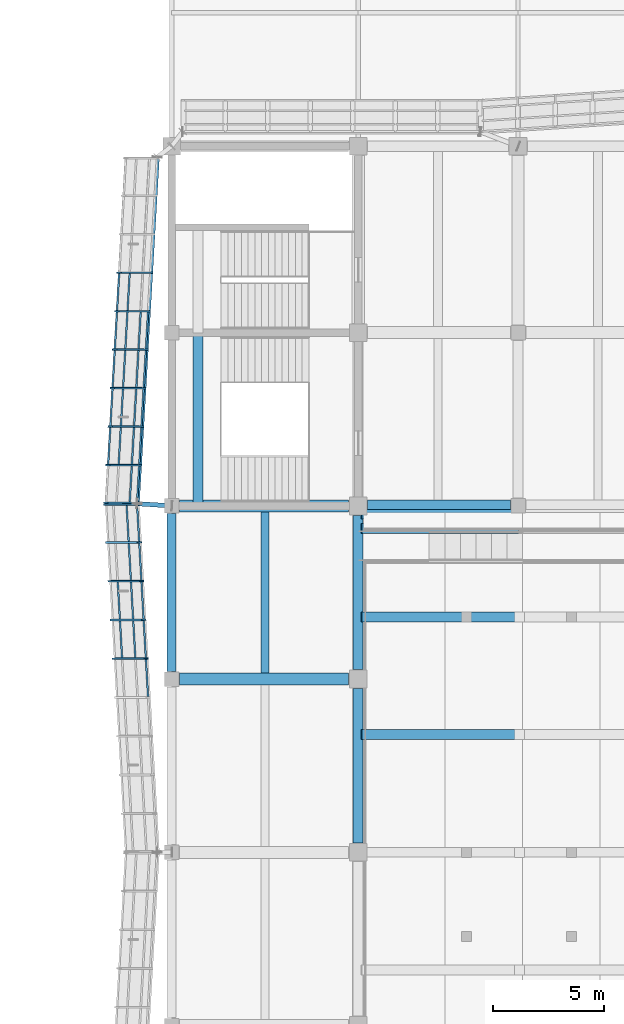
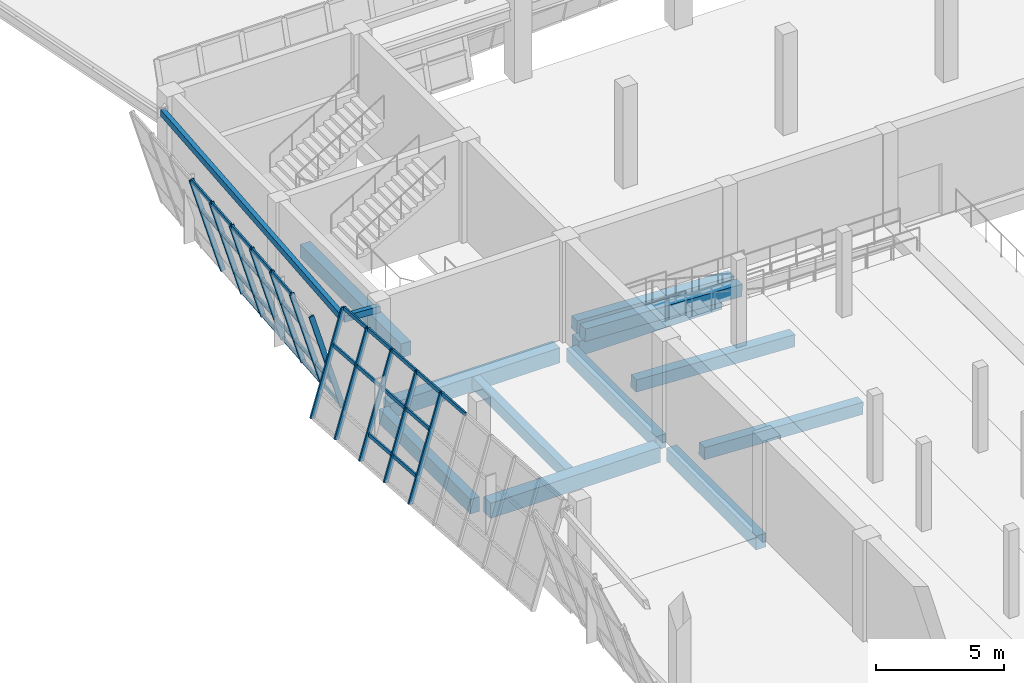
# One storey, part 24 of 79: 43 members, 14 beams, 2 elements without a shape of their own.
"""IFC4 building model written with IfcOpenShell, lengths in metres."""

import ifcopenshell
import ifcopenshell.guid

model = None  # the IFC model being written
_history = None  # IfcOwnerHistory: only IFC2X3 demands one
_inside = {}  # id of a spatial element -> (the spatial element, [elements in it])
_under = {}  # id of a project, library or spatial element -> (it, [spatial elements below it])
_declared = {}  # id of a project -> (the project, [libraries it declares])
_typed = {}  # id of a type object -> (the type object, [elements of that type])
_made_of = {}  # id of a material, layer set ... -> (it, [elements and type objects made of it])


def new_model(schema):
    """Start an empty IFC model of exactly this schema.

    Asked for "IFC4X3", IfcOpenShell would pick the latest addendum, in which some entities
    have other attributes; the version numbers below select the first issue.
    IFC2X3 requires an IfcOwnerHistory on every rooted entity: one is made here for all.
    """
    global model, _history
    if schema == "IFC4X3":
        model = ifcopenshell.file(schema_version=(4, 3, 0, 0))
    else:
        model = ifcopenshell.file(schema=schema)
    _inside.clear()
    _under.clear()
    _declared.clear()
    _typed.clear()
    _made_of.clear()
    _history = None
    if model.schema == "IFC2X3":
        org = make("IfcOrganization", Name="unknown")
        user = make(
            "IfcPersonAndOrganization",
            ThePerson=make("IfcPerson", FamilyName="unknown"),
            TheOrganization=org,
        )
        app = make(
            "IfcApplication",
            ApplicationDeveloper=org,
            Version="unknown",
            ApplicationFullName="unknown",
            ApplicationIdentifier="unknown",
        )
        _history = make(
            "IfcOwnerHistory",
            OwningUser=user,
            OwningApplication=app,
            ChangeAction="ADDED",
            CreationDate=0,
        )
    return model


def make(cls, **values):
    """One entity of the class cls with the attributes given. An attribute that is None is left unset."""
    return model.create_entity(
        cls, **{name: value for name, value in values.items() if value is not None}
    )


def rooted(cls, **values):
    """An entity with a GlobalId (a new one), such as an element, a storey or a relation."""
    return make(cls, GlobalId=ifcopenshell.guid.new(), OwnerHistory=_history, **values)


def si_unit(unit_type, name, prefix=None):
    """IfcSIUnit, for example si_unit("LENGTHUNIT", "METRE", prefix="MILLI")."""
    return make("IfcSIUnit", UnitType=unit_type, Prefix=prefix, Name=name)


def assignment(units):
    """IfcUnitAssignment: the units of a project."""
    return None if units is None else make("IfcUnitAssignment", Units=units)


def point(xyz):
    """IfcCartesianPoint."""
    return None if xyz is None else make("IfcCartesianPoint", Coordinates=xyz)


def direction(xyz):
    """IfcDirection."""
    return None if xyz is None else make("IfcDirection", DirectionRatios=xyz)


def frame(location, z_axis=None, x_axis=None):
    """IfcAxis2Placement3D, a coordinate frame: its origin and axes. An axis left out is left unset."""
    return make(
        "IfcAxis2Placement3D",
        Location=point(location),
        Axis=direction(z_axis),
        RefDirection=direction(x_axis),
    )


def frame_2d(location, x_axis=None):
    """IfcAxis2Placement2D, a coordinate frame in the plane: its origin and x axis."""
    return make(
        "IfcAxis2Placement2D", Location=point(location), RefDirection=direction(x_axis)
    )


def origin():
    """The frame at (0, 0, 0) with its axes left unset."""
    return frame((0.0, 0.0, 0.0))


def origin_2d():
    """The frame at (0, 0) in the plane with its x axis left unset."""
    return frame_2d((0.0, 0.0))


def place(relative_to, where):
    """IfcLocalPlacement: puts the frame where relative to a parent placement (None: the world)."""
    return make(
        "IfcLocalPlacement", PlacementRelTo=relative_to, RelativePlacement=where
    )


def context(
    kind, dimensions, precision=None, world=None, true_north=None, identifier=None
):
    """IfcGeometricRepresentationContext, for example the 3D "Model" context."""
    return make(
        "IfcGeometricRepresentationContext",
        ContextIdentifier=identifier,
        ContextType=kind,
        CoordinateSpaceDimension=dimensions,
        Precision=precision,
        WorldCoordinateSystem=world,
        TrueNorth=true_north,
    )


def subcontext(parent, identifier, kind, view, scale=None):
    """IfcGeometricRepresentationSubContext, for example "Body" below "Model"."""
    return make(
        "IfcGeometricRepresentationSubContext",
        ContextIdentifier=identifier,
        ContextType=kind,
        ParentContext=parent,
        TargetScale=scale,
        TargetView=view,
    )


def project(units=None, contexts=None):
    """IfcProject with its units and contexts."""
    return rooted(
        "IfcProject",
        Name="project",
        RepresentationContexts=contexts,
        UnitsInContext=assignment(units),
    )


def spatial(cls, under=None, at=None, **own):
    """A site, building, storey or space (cls), placed at a placement, below another one or the project."""
    s = rooted(cls, ObjectPlacement=at, **own)
    if under is not None:
        _under.setdefault(under.id(), (under, []))[1].append(s)
    return s


def profile(cls, at=None, kind="AREA", **sizes):
    """A parametric profile (cls). Its sizes go by their IFC names, for example OverallWidth=200.0."""
    return make(cls, ProfileType=kind, Position=at, **sizes)


def rectangle(**sizes):
    """IfcRectangleProfileDef."""
    return profile("IfcRectangleProfileDef", **sizes)


def hollow_rectangle(**sizes):
    """IfcRectangleHollowProfileDef."""
    return profile("IfcRectangleHollowProfileDef", **sizes)


def extrude(swept, where, along, depth):
    """IfcExtrudedAreaSolid: the profile swept, set in the frame where, extruded along a direction by depth."""
    return make(
        "IfcExtrudedAreaSolid",
        SweptArea=swept,
        Position=where,
        ExtrudedDirection=direction(along),
        Depth=depth,
    )


def shape(context_of_items, identifier, shape_type, items):
    """IfcShapeRepresentation: the items that make up one representation, for example the "Body"."""
    return make(
        "IfcShapeRepresentation",
        ContextOfItems=context_of_items,
        RepresentationIdentifier=identifier,
        RepresentationType=shape_type,
        Items=items,
    )


def material(Name=None, Category=None):
    """IfcMaterial."""
    return make("IfcMaterial", Name=Name, Category=Category)


def material_profile(
    of_material, cross_section, Name=None, Category=None, Priority=None
):
    """IfcMaterialProfile: a cross section and its material."""
    return make(
        "IfcMaterialProfile",
        Name=Name,
        Material=of_material,
        Profile=cross_section,
        Priority=Priority,
        Category=Category,
    )


def profile_set(profiles, Name=None, composite=None):
    """IfcMaterialProfileSet."""
    return make(
        "IfcMaterialProfileSet",
        Name=Name,
        MaterialProfiles=profiles,
        CompositeProfile=composite,
    )


def made_of(thing, what):
    """Note that an element or type object is made of a material, layer set ...; save() writes the relation."""
    if what is not None:
        _made_of.setdefault(what.id(), (what, []))[1].append(thing)
    return thing


def type_object(cls, material=None, **own):
    """A type object (cls), such as IfcWallType, which elements share."""
    return made_of(rooted(cls, **own), material)


def element(
    cls,
    number,
    at=None,
    inside=None,
    cuts=None,
    type_object=None,
    material=None,
    context=None,
    identifier="Body",
    shape_type=None,
    held_by="IfcProductDefinitionShape",
    body=None,
    shapes=None,
    **own,
):
    """One element of the class cls, such as IfcWall. Its Tag is "e" and its number.

    at: its placement. inside: the storey or other place that contains it. cuts: it is an
    opening in that element (IfcRelVoidsElement). A single representation is given by context,
    identifier, shape_type and body (its items); several are given by shapes. held_by: the class
    of the entity that holds the representations. save() writes the other relations.
    """
    e = rooted(cls, Tag="e%d" % number, ObjectPlacement=at, **own)
    if body is not None:
        shapes = [shape(context, identifier, shape_type, body)]
    if shapes is not None:
        e.Representation = make(held_by, Representations=shapes)
    if inside is not None:
        _inside.setdefault(inside.id(), (inside, []))[1].append(e)
    if cuts is not None:
        rooted(
            "IfcRelVoidsElement", RelatingBuildingElement=cuts, RelatedOpeningElement=e
        )
    if type_object is not None:
        _typed.setdefault(type_object.id(), (type_object, []))[1].append(e)
    return made_of(e, material)


def aggregate(whole, parts):
    """IfcRelAggregates: a whole, such as a stair, and the parts it consists of."""
    return rooted("IfcRelAggregates", RelatingObject=whole, RelatedObjects=parts)


def save(model, path):
    """Write the relations noted so far, then the file.

    IfcRelAggregates (storeys below a building ...), IfcRelContainedInSpatialStructure (elements
    in a storey), IfcRelDefinesByType, IfcRelAssociatesMaterial and IfcRelDeclares: one each for
    every whole, place, type object, material and project.
    """
    for whole, parts in _under.values():
        aggregate(whole, parts)
    for where, things in _inside.values():
        rooted(
            "IfcRelContainedInSpatialStructure",
            RelatedElements=things,
            RelatingStructure=where,
        )
    for kind, things in _typed.values():
        rooted("IfcRelDefinesByType", RelatedObjects=things, RelatingType=kind)
    for what, things in _made_of.values():
        rooted("IfcRelAssociatesMaterial", RelatedObjects=things, RelatingMaterial=what)
    for by, libraries in _declared.values():
        rooted("IfcRelDeclares", RelatingContext=by, RelatedDefinitions=libraries)
    model.write(path)


model = new_model("IFC4")

# Units and contexts
model_context = context("Model", 3, precision=1e-05, world=origin(), true_north=direction((0.0, 1.0)))
body_context = subcontext(model_context, "Body", "Model", "MODEL_VIEW")
ifc_project = project(units=[si_unit("LENGTHUNIT", "METRE"), si_unit("AREAUNIT", "SQUARE_METRE"), si_unit("VOLUMEUNIT", "CUBIC_METRE"), si_unit("PLANEANGLEUNIT", "RADIAN"), si_unit("MASSUNIT", "GRAM", prefix="KILO")], contexts=[model_context])

# Site, building, storey
site_placement = place(None, origin())
site = spatial("IfcSite", under=ifc_project, at=site_placement, CompositionType="ELEMENT")
building_placement = place(site_placement, origin())
building = spatial("IfcBuilding", under=site, at=building_placement, Name="Pellamere Symphony Hall", CompositionType="ELEMENT")
storey_placement = place(building_placement, frame((0.0, 0.0, 10.199951171875)))
storey = spatial("IfcBuildingStorey", under=building, at=storey_placement, Name="L02", CompositionType="ELEMENT", Elevation=10.199951171875)

# Curtain wall, members
ifc_material_1 = material(Name="Thermally Broken Anodised Aluminium 6063-T6 Curtain Wall", Category="aluminium")
curtain_wall_type = type_object("IfcCurtainWallType", Name="Curtain Wall CW-01 (Tilted Faceted Crystal Low-Iron Curtain Wall)", PredefinedType="NOTDEFINED", material=ifc_material_1)
curtain_wall_1_placement = place(storey_placement, origin())
curtain_wall_1 = element("IfcCurtainWall", 1, at=curtain_wall_1_placement, inside=storey, type_object=curtain_wall_type, Name="Crystal Faceted Curtain Wall CW-CR15 (L02)", PredefinedType="NOTDEFINED")
ifc_material_2 = material(Name="Anodised Architectural Aluminium 6063-T6", Category="aluminium")
ifc_material_profile_1 = material_profile(ifc_material_2, hollow_rectangle(XDim=0.074951171875, YDim=0.219970703125, WallThickness=0.0048828125, at=origin_2d()), Name="ALU-M75X220X5")
ifc_profile_set_1 = profile_set([ifc_material_profile_1], Name="Anodised Architectural Aluminium 6063-T6")
member_type_1 = type_object("IfcMemberType", Name="Curtain Wall Mullion ML-01 ALU-M75X220X5", PredefinedType="MULLION", material=ifc_profile_set_1)
member_1_placement = place(storey_placement, frame((49.449951171875, 87.89990234375, 0.0), z_axis=(-0.283977077304, 0.0, 0.958831069358), x_axis=(-0.055225347331, -0.998339941676, -0.016356095697)))
member_1 = element("IfcMember", 2, at=member_1_placement, type_object=member_type_1, Name="CW1-039 crystal mullion 4", PredefinedType="MULLION", context=body_context, shape_type="SweptSolid", body=[
    extrude(hollow_rectangle(XDim=0.074951171875, YDim=0.219970703125, WallThickness=0.0048828125, at=origin_2d()), origin(), (0.0, 0.0, 1.0), 5.006103515625),
])
member_2_placement = place(storey_placement, frame((49.35009765625, 86.166748046875, 0.0), z_axis=(-0.284021911736, 0.0, 0.9588177896), x_axis=(-0.055224582463, -0.998339941676, -0.016358678005)))
member_2 = element("IfcMember", 3, at=member_2_placement, type_object=member_type_1, Name="CW1-039 crystal mullion 5", PredefinedType="MULLION", context=body_context, shape_type="SweptSolid", body=[
    extrude(hollow_rectangle(XDim=0.074951171875, YDim=0.219970703125, WallThickness=0.0048828125, at=origin_2d()), origin(), (0.0, 0.0, 1.0), 5.006103515625),
])
member_3_placement = place(storey_placement, frame((49.25, 84.433349609375, 0.0), z_axis=(-0.284021911736, 0.0, 0.9588177896), x_axis=(-0.055224582463, -0.998339941676, -0.016358678005)))
member_3 = element("IfcMember", 4, at=member_3_placement, type_object=member_type_1, Name="CW1-039 crystal mullion 6", PredefinedType="MULLION", context=body_context, shape_type="SweptSolid", body=[
    extrude(hollow_rectangle(XDim=0.074951171875, YDim=0.219970703125, WallThickness=0.0048828125, at=origin_2d()), origin(), (0.0, 0.0, 1.0), 5.006103515625),
])
member_4_placement = place(storey_placement, frame((49.14990234375, 82.699951171875, 0.0), z_axis=(-0.283977077304, 0.0, 0.958831069358), x_axis=(-0.055225347331, -0.998339941676, -0.016356095697)))
member_4 = element("IfcMember", 5, at=member_4_placement, type_object=member_type_1, Name="CW1-039 crystal mullion 7", PredefinedType="MULLION", context=body_context, shape_type="SweptSolid", body=[
    extrude(hollow_rectangle(XDim=0.074951171875, YDim=0.219970703125, WallThickness=0.0048828125, at=origin_2d()), origin(), (0.0, 0.0, 1.0), 5.006103515625),
])
member_5_placement = place(storey_placement, frame((49.050048828125, 80.966552734375, 0.0), z_axis=(-0.284021911736, 0.0, 0.9588177896), x_axis=(-0.055224582463, -0.998339941676, -0.016358678005)))
member_5 = element("IfcMember", 6, at=member_5_placement, type_object=member_type_1, Name="CW1-039 crystal mullion 8", PredefinedType="MULLION", context=body_context, shape_type="SweptSolid", body=[
    extrude(hollow_rectangle(XDim=0.074951171875, YDim=0.219970703125, WallThickness=0.0048828125, at=origin_2d()), origin(), (0.0, 0.0, 1.0), 5.006103515625),
])
member_6_placement = place(storey_placement, frame((48.949951171875, 79.2333984375, 0.0), z_axis=(-0.283977077304, 0.0, 0.958831069358), x_axis=(-0.055225347331, -0.998339941676, -0.016356095697)))
member_6 = element("IfcMember", 7, at=member_6_placement, type_object=member_type_1, Name="CW1-039 crystal mullion 9", PredefinedType="MULLION", context=body_context, shape_type="SweptSolid", body=[
    extrude(hollow_rectangle(XDim=0.074951171875, YDim=0.219970703125, WallThickness=0.0048828125, at=origin_2d()), origin(), (0.0, 0.0, 1.0), 5.006103515625),
])
member_7_placement = place(storey_placement, frame((48.85205078125, 77.537353515625, 0.0), z_axis=(-0.283977077304, 0.0, 0.958831069358), x_axis=(-0.055225347331, -0.998339941676, -0.016356095697)))
member_7 = element("IfcMember", 8, at=member_7_placement, type_object=member_type_1, Name="CW1-039 crystal mullion 10", PredefinedType="MULLION", context=body_context, shape_type="SweptSolid", body=[
    extrude(hollow_rectangle(XDim=0.074951171875, YDim=0.219970703125, WallThickness=0.0048828125, at=origin_2d()), origin(), (0.0, 0.0, 1.0), 5.006103515625),
])

curtain_wall_2_placement = place(storey_placement, origin())
curtain_wall_2 = element("IfcCurtainWall", 9, at=curtain_wall_2_placement, inside=storey, type_object=curtain_wall_type, Name="Crystal Faceted Curtain Wall CW-CR16 (L02)", PredefinedType="NOTDEFINED")
member_8_placement = place(storey_placement, frame((47.430419921875, 77.462646484375, 0.0), z_axis=(0.283977077304, 0.0, 0.958831069358), x_axis=(-0.054874749346, 0.99836096977, 0.016252259063)))
member_8 = element("IfcMember", 10, at=member_8_placement, type_object=member_type_1, Name="CW1-044 crystal mullion 1", PredefinedType="MULLION", context=body_context, shape_type="SweptSolid", body=[
    extrude(hollow_rectangle(XDim=0.074951171875, YDim=0.219970703125, WallThickness=0.0048828125, at=origin_2d()), origin(), (0.0, 0.0, 1.0), 5.006103515625),
])
member_9_placement = place(storey_placement, frame((47.5283203125, 75.755615234375, 0.0), z_axis=(0.283977077304, 0.0, 0.958831069358), x_axis=(-0.054874749346, 0.99836096977, 0.016252259063)))
member_9 = element("IfcMember", 11, at=member_9_placement, type_object=member_type_1, Name="CW1-044 crystal mullion 2", PredefinedType="MULLION", context=body_context, shape_type="SweptSolid", body=[
    extrude(hollow_rectangle(XDim=0.074951171875, YDim=0.219970703125, WallThickness=0.0048828125, at=origin_2d()), origin(), (0.0, 0.0, 1.0), 5.006103515625),
])
member_10_placement = place(storey_placement, frame((47.628173828125, 74.01123046875, 0.0), z_axis=(0.284021911736, 0.0, 0.9588177896), x_axis=(-0.054873989333, 0.99836096977, 0.016254824977)))
member_10 = element("IfcMember", 12, at=member_10_placement, type_object=member_type_1, Name="CW1-044 crystal mullion 3", PredefinedType="MULLION", context=body_context, shape_type="SweptSolid", body=[
    extrude(hollow_rectangle(XDim=0.074951171875, YDim=0.219970703125, WallThickness=0.0048828125, at=origin_2d()), origin(), (0.0, 0.0, 1.0), 5.006103515625),
])
member_11_placement = place(storey_placement, frame((47.728271484375, 72.2666015625, 0.0), z_axis=(0.283977077304, 0.0, 0.958831069358), x_axis=(-0.054874749346, 0.99836096977, 0.016252259063)))
member_11 = element("IfcMember", 13, at=member_11_placement, type_object=member_type_1, Name="CW1-044 crystal mullion 4", PredefinedType="MULLION", context=body_context, shape_type="SweptSolid", body=[
    extrude(hollow_rectangle(XDim=0.074951171875, YDim=0.219970703125, WallThickness=0.0048828125, at=origin_2d()), origin(), (0.0, 0.0, 1.0), 5.006103515625),
])
member_12_placement = place(storey_placement, frame((47.828125, 70.522216796875, 0.0), z_axis=(0.284021911736, 0.0, 0.9588177896), x_axis=(-0.054873989333, 0.99836096977, 0.016254824977)))
member_12 = element("IfcMember", 14, at=member_12_placement, type_object=member_type_1, Name="CW1-044 crystal mullion 5", PredefinedType="MULLION", context=body_context, shape_type="SweptSolid", body=[
    extrude(hollow_rectangle(XDim=0.074951171875, YDim=0.219970703125, WallThickness=0.0048828125, at=origin_2d()), origin(), (0.0, 0.0, 1.0), 5.006103515625),
])

# Member
ifc_material_profile_2 = material_profile(ifc_material_2, hollow_rectangle(XDim=0.074951171875, YDim=0.179931640625, WallThickness=0.0048828125, at=origin_2d()), Name="ALU-T75X180X5")
ifc_profile_set_2 = profile_set([ifc_material_profile_2], Name="Anodised Architectural Aluminium 6063-T6")
member_type_2 = type_object("IfcMemberType", Name="Curtain Wall Transom TR-01 ALU-T75X180X5", PredefinedType="USERDEFINED", material=ifc_profile_set_2)
member_13_placement = place(storey_placement, frame((48.509521484375, 87.862548828125, 3.16796875), z_axis=(-0.057610619545, -0.998339129012, 0.0), x_axis=(0.998339129012, -0.057610619545, 0.0)))
member_13 = element("IfcMember", 15, at=member_13_placement, type_object=member_type_2, Name="CW1-039 crystal transom 4.3", ObjectType="TRANSOM", PredefinedType="USERDEFINED", context=body_context, shape_type="SweptSolid", body=[
    extrude(hollow_rectangle(XDim=0.074951171875, YDim=0.179931640625, WallThickness=0.0048828125, at=origin_2d()), origin(), (0.0, 0.0, 1.0), 1.6611328125),
])

member_14_placement = place(storey_placement, frame((48.03662109375, 87.862548828125, 4.76416015625), z_axis=(-0.057610619545, -0.998339129012, 0.0), x_axis=(0.998339129012, -0.057610619545, 0.0)))
member_14 = element("IfcMember", 16, at=member_14_placement, type_object=member_type_2, Name="CW1-039 crystal transom 4.4", ObjectType="TRANSOM", PredefinedType="USERDEFINED", context=body_context, shape_type="SweptSolid", body=[
    extrude(hollow_rectangle(XDim=0.074951171875, YDim=0.179931640625, WallThickness=0.0048828125, at=origin_2d()), origin(), (0.0, 0.0, 1.0), 1.6611328125),
])

member_15_placement = place(storey_placement, frame((49.337158203125, 86.129150390625, 0.035888671875), z_axis=(-0.057610619545, -0.998339129012, 0.0), x_axis=(0.998339129012, -0.057610619545, 0.0)))
member_15 = element("IfcMember", 17, at=member_15_placement, type_object=member_type_2, Name="CW1-039 crystal transom 5.1", ObjectType="TRANSOM", PredefinedType="USERDEFINED", context=body_context, shape_type="SweptSolid", body=[
    extrude(hollow_rectangle(XDim=0.074951171875, YDim=0.179931640625, WallThickness=0.0048828125, at=origin_2d()), origin(), (0.0, 0.0, 1.0), 1.6611328125),
])

member_16_placement = place(storey_placement, frame((49.006591796875, 86.129150390625, 1.152099609375), z_axis=(-0.057610619545, -0.998339129012, 0.0), x_axis=(0.998339129012, -0.057610619545, 0.0)))
member_16 = element("IfcMember", 18, at=member_16_placement, type_object=member_type_2, Name="CW1-039 crystal transom 5.2", ObjectType="TRANSOM", PredefinedType="USERDEFINED", context=body_context, shape_type="SweptSolid", body=[
    extrude(hollow_rectangle(XDim=0.074951171875, YDim=0.179931640625, WallThickness=0.0048828125, at=origin_2d()), origin(), (0.0, 0.0, 1.0), 1.6611328125),
])

member_17_placement = place(storey_placement, frame((48.409423828125, 86.129150390625, 3.16796875), z_axis=(-0.057610619545, -0.998339129012, 0.0), x_axis=(0.998339129012, -0.057610619545, 0.0)))
member_17 = element("IfcMember", 19, at=member_17_placement, type_object=member_type_2, Name="CW1-039 crystal transom 5.3", ObjectType="TRANSOM", PredefinedType="USERDEFINED", context=body_context, shape_type="SweptSolid", body=[
    extrude(hollow_rectangle(XDim=0.074951171875, YDim=0.179931640625, WallThickness=0.0048828125, at=origin_2d()), origin(), (0.0, 0.0, 1.0), 1.6611328125),
])

member_18_placement = place(storey_placement, frame((47.936767578125, 86.129150390625, 4.76416015625), z_axis=(-0.057610619545, -0.998339129012, 0.0), x_axis=(0.998339129012, -0.057610619545, 0.0)))
member_18 = element("IfcMember", 20, at=member_18_placement, type_object=member_type_2, Name="CW1-039 crystal transom 5.4", ObjectType="TRANSOM", PredefinedType="USERDEFINED", context=body_context, shape_type="SweptSolid", body=[
    extrude(hollow_rectangle(XDim=0.074951171875, YDim=0.179931640625, WallThickness=0.0048828125, at=origin_2d()), origin(), (0.0, 0.0, 1.0), 1.6611328125),
])

member_19_placement = place(storey_placement, frame((49.2373046875, 84.39599609375, 0.035888671875), z_axis=(-0.057610619545, -0.998339129012, 0.0), x_axis=(0.998339129012, -0.057610619545, 0.0)))
member_19 = element("IfcMember", 21, at=member_19_placement, type_object=member_type_2, Name="CW1-039 crystal transom 6.1", ObjectType="TRANSOM", PredefinedType="USERDEFINED", context=body_context, shape_type="SweptSolid", body=[
    extrude(hollow_rectangle(XDim=0.074951171875, YDim=0.179931640625, WallThickness=0.0048828125, at=origin_2d()), origin(), (0.0, 0.0, 1.0), 1.6611328125),
])

member_20_placement = place(storey_placement, frame((48.906494140625, 84.39599609375, 1.152099609375), z_axis=(-0.057464139598, -0.998347571069, 0.0), x_axis=(0.998347571069, -0.057464139598, 0.0)))
member_20 = element("IfcMember", 22, at=member_20_placement, type_object=member_type_2, Name="CW1-039 crystal transom 6.2", ObjectType="TRANSOM", PredefinedType="USERDEFINED", context=body_context, shape_type="SweptSolid", body=[
    extrude(hollow_rectangle(XDim=0.074951171875, YDim=0.179931640625, WallThickness=0.0048828125, at=origin_2d()), origin(), (0.0, 0.0, 1.0), 1.6611328125),
])

member_21_placement = place(storey_placement, frame((48.3095703125, 84.39599609375, 3.16796875), z_axis=(-0.057610619545, -0.998339129012, 0.0), x_axis=(0.998339129012, -0.057610619545, 0.0)))
member_21 = element("IfcMember", 23, at=member_21_placement, type_object=member_type_2, Name="CW1-039 crystal transom 6.3", ObjectType="TRANSOM", PredefinedType="USERDEFINED", context=body_context, shape_type="SweptSolid", body=[
    extrude(hollow_rectangle(XDim=0.074951171875, YDim=0.179931640625, WallThickness=0.0048828125, at=origin_2d()), origin(), (0.0, 0.0, 1.0), 1.6611328125),
])

member_22_placement = place(storey_placement, frame((47.836669921875, 84.39599609375, 4.76416015625), z_axis=(-0.057610619545, -0.998339129012, 0.0), x_axis=(0.998339129012, -0.057610619545, 0.0)))
member_22 = element("IfcMember", 24, at=member_22_placement, type_object=member_type_2, Name="CW1-039 crystal transom 6.4", ObjectType="TRANSOM", PredefinedType="USERDEFINED", context=body_context, shape_type="SweptSolid", body=[
    extrude(hollow_rectangle(XDim=0.074951171875, YDim=0.179931640625, WallThickness=0.0048828125, at=origin_2d()), origin(), (0.0, 0.0, 1.0), 1.6611328125),
])

member_23_placement = place(storey_placement, frame((49.13720703125, 82.66259765625, 0.035888671875), z_axis=(-0.057610619545, -0.998339129012, 0.0), x_axis=(0.998339129012, -0.057610619545, 0.0)))
member_23 = element("IfcMember", 25, at=member_23_placement, type_object=member_type_2, Name="CW1-039 crystal transom 7.1", ObjectType="TRANSOM", PredefinedType="USERDEFINED", context=body_context, shape_type="SweptSolid", body=[
    extrude(hollow_rectangle(XDim=0.074951171875, YDim=0.179931640625, WallThickness=0.0048828125, at=origin_2d()), origin(), (0.0, 0.0, 1.0), 1.6611328125),
])

member_24_placement = place(storey_placement, frame((48.806640625, 82.66259765625, 1.152099609375), z_axis=(-0.057610619545, -0.998339129012, 0.0), x_axis=(0.998339129012, -0.057610619545, 0.0)))
member_24 = element("IfcMember", 26, at=member_24_placement, type_object=member_type_2, Name="CW1-039 crystal transom 7.2", ObjectType="TRANSOM", PredefinedType="USERDEFINED", context=body_context, shape_type="SweptSolid", body=[
    extrude(hollow_rectangle(XDim=0.074951171875, YDim=0.179931640625, WallThickness=0.0048828125, at=origin_2d()), origin(), (0.0, 0.0, 1.0), 1.6611328125),
])

member_25_placement = place(storey_placement, frame((48.20947265625, 82.66259765625, 3.16796875), z_axis=(-0.057610619545, -0.998339129012, 0.0), x_axis=(0.998339129012, -0.057610619545, 0.0)))
member_25 = element("IfcMember", 27, at=member_25_placement, type_object=member_type_2, Name="CW1-039 crystal transom 7.3", ObjectType="TRANSOM", PredefinedType="USERDEFINED", context=body_context, shape_type="SweptSolid", body=[
    extrude(hollow_rectangle(XDim=0.074951171875, YDim=0.179931640625, WallThickness=0.0048828125, at=origin_2d()), origin(), (0.0, 0.0, 1.0), 1.6611328125),
])

member_26_placement = place(storey_placement, frame((47.736572265625, 82.66259765625, 4.76416015625), z_axis=(-0.057464139598, -0.998347571069, 0.0), x_axis=(0.998347571069, -0.057464139598, 0.0)))
member_26 = element("IfcMember", 28, at=member_26_placement, type_object=member_type_2, Name="CW1-039 crystal transom 7.4", ObjectType="TRANSOM", PredefinedType="USERDEFINED", context=body_context, shape_type="SweptSolid", body=[
    extrude(hollow_rectangle(XDim=0.074951171875, YDim=0.179931640625, WallThickness=0.0048828125, at=origin_2d()), origin(), (0.0, 0.0, 1.0), 1.6611328125),
])

member_27_placement = place(storey_placement, frame((49.037109375, 80.92919921875, 0.035888671875), z_axis=(-0.057610619545, -0.998339129012, 0.0), x_axis=(0.998339129012, -0.057610619545, 0.0)))
member_27 = element("IfcMember", 29, at=member_27_placement, type_object=member_type_2, Name="CW1-039 crystal transom 8.1", ObjectType="TRANSOM", PredefinedType="USERDEFINED", context=body_context, shape_type="SweptSolid", body=[
    extrude(hollow_rectangle(XDim=0.074951171875, YDim=0.179931640625, WallThickness=0.0048828125, at=origin_2d()), origin(), (0.0, 0.0, 1.0), 1.6611328125),
])

member_28_placement = place(storey_placement, frame((48.70654296875, 80.92919921875, 1.152099609375), z_axis=(-0.057610619545, -0.998339129012, 0.0), x_axis=(0.998339129012, -0.057610619545, 0.0)))
member_28 = element("IfcMember", 30, at=member_28_placement, type_object=member_type_2, Name="CW1-039 crystal transom 8.2", ObjectType="TRANSOM", PredefinedType="USERDEFINED", context=body_context, shape_type="SweptSolid", body=[
    extrude(hollow_rectangle(XDim=0.074951171875, YDim=0.179931640625, WallThickness=0.0048828125, at=origin_2d()), origin(), (0.0, 0.0, 1.0), 1.6611328125),
])

member_29_placement = place(storey_placement, frame((48.109375, 80.92919921875, 3.16796875), z_axis=(-0.057610619545, -0.998339129012, 0.0), x_axis=(0.998339129012, -0.057610619545, 0.0)))
member_29 = element("IfcMember", 31, at=member_29_placement, type_object=member_type_2, Name="CW1-039 crystal transom 8.3", ObjectType="TRANSOM", PredefinedType="USERDEFINED", context=body_context, shape_type="SweptSolid", body=[
    extrude(hollow_rectangle(XDim=0.074951171875, YDim=0.179931640625, WallThickness=0.0048828125, at=origin_2d()), origin(), (0.0, 0.0, 1.0), 1.6611328125),
])

member_30_placement = place(storey_placement, frame((47.63671875, 80.92919921875, 4.76416015625), z_axis=(-0.057610619545, -0.998339129012, 0.0), x_axis=(0.998339129012, -0.057610619545, 0.0)))
member_30 = element("IfcMember", 32, at=member_30_placement, type_object=member_type_2, Name="CW1-039 crystal transom 8.4", ObjectType="TRANSOM", PredefinedType="USERDEFINED", context=body_context, shape_type="SweptSolid", body=[
    extrude(hollow_rectangle(XDim=0.074951171875, YDim=0.179931640625, WallThickness=0.0048828125, at=origin_2d()), origin(), (0.0, 0.0, 1.0), 1.6611328125),
])

member_31_placement = place(storey_placement, frame((48.937255859375, 79.19580078125, 0.035888671875), z_axis=(-0.057593652861, -0.998340107954, 0.0), x_axis=(0.998340107954, -0.057593652861, 0.0)))
member_31 = element("IfcMember", 33, at=member_31_placement, type_object=member_type_2, Name="CW1-039 crystal transom 9.1", ObjectType="TRANSOM", PredefinedType="USERDEFINED", context=body_context, shape_type="SweptSolid", body=[
    extrude(hollow_rectangle(XDim=0.074951171875, YDim=0.179931640625, WallThickness=0.0048828125, at=origin_2d()), origin(), (0.0, 0.0, 1.0), 1.62353515625),
])

member_32_placement = place(storey_placement, frame((48.606689453125, 79.19580078125, 1.152099609375), z_axis=(-0.057593652861, -0.998340107954, 0.0), x_axis=(0.998340107954, -0.057593652861, 0.0)))
member_32 = element("IfcMember", 34, at=member_32_placement, type_object=member_type_2, Name="CW1-039 crystal transom 9.2", ObjectType="TRANSOM", PredefinedType="USERDEFINED", context=body_context, shape_type="SweptSolid", body=[
    extrude(hollow_rectangle(XDim=0.074951171875, YDim=0.179931640625, WallThickness=0.0048828125, at=origin_2d()), origin(), (0.0, 0.0, 1.0), 1.62353515625),
])

aggregate(curtain_wall_1, [member_1, member_2, member_3, member_4, member_5, member_6, member_7, member_13, member_14, member_15, member_16, member_17, member_18, member_19, member_20, member_21, member_22, member_23, member_24, member_25, member_26, member_27, member_28, member_29, member_30, member_31, member_32])

member_33_placement = place(storey_placement, frame((48.370849609375, 77.425048828125, 3.16796875), z_axis=(0.057198647566, -0.998362817175, 0.0), x_axis=(0.998362817175, 0.057198647566, 0.0)))
member_33 = element("IfcMember", 35, at=member_33_placement, type_object=member_type_2, Name="CW1-044 crystal transom 1.3", ObjectType="TRANSOM", PredefinedType="USERDEFINED", context=body_context, shape_type="SweptSolid", body=[
    extrude(hollow_rectangle(XDim=0.074951171875, YDim=0.179931640625, WallThickness=0.0048828125, at=origin_2d()), origin(), (0.0, 0.0, 1.0), 1.634765625),
])

member_34_placement = place(storey_placement, frame((48.84375, 77.425048828125, 4.76416015625), z_axis=(0.057198647566, -0.998362817175, 0.0), x_axis=(0.998362817175, 0.057198647566, 0.0)))
member_34 = element("IfcMember", 36, at=member_34_placement, type_object=member_type_2, Name="CW1-044 crystal transom 1.4", ObjectType="TRANSOM", PredefinedType="USERDEFINED", context=body_context, shape_type="SweptSolid", body=[
    extrude(hollow_rectangle(XDim=0.074951171875, YDim=0.179931640625, WallThickness=0.0048828125, at=origin_2d()), origin(), (0.0, 0.0, 1.0), 1.634765625),
])

member_35_placement = place(storey_placement, frame((48.46875, 75.718017578125, 3.16796875), z_axis=(0.057232737422, -0.998360863499, 0.0), x_axis=(0.998360863499, 0.057232737422, 0.0)))
member_35 = element("IfcMember", 37, at=member_35_placement, type_object=member_type_2, Name="CW1-044 crystal transom 2.3", ObjectType="TRANSOM", PredefinedType="USERDEFINED", context=body_context, shape_type="SweptSolid", body=[
    extrude(hollow_rectangle(XDim=0.074951171875, YDim=0.179931640625, WallThickness=0.0048828125, at=origin_2d()), origin(), (0.0, 0.0, 1.0), 1.672119140625),
])

member_36_placement = place(storey_placement, frame((48.94140625, 75.718017578125, 4.76416015625), z_axis=(0.057232737422, -0.998360863499, 0.0), x_axis=(0.998360863499, 0.057232737422, 0.0)))
member_36 = element("IfcMember", 38, at=member_36_placement, type_object=member_type_2, Name="CW1-044 crystal transom 2.4", ObjectType="TRANSOM", PredefinedType="USERDEFINED", context=body_context, shape_type="SweptSolid", body=[
    extrude(hollow_rectangle(XDim=0.074951171875, YDim=0.179931640625, WallThickness=0.0048828125, at=origin_2d()), origin(), (0.0, 0.0, 1.0), 1.672119140625),
])

member_37_placement = place(storey_placement, frame((47.9716796875, 73.9736328125, 1.152099609375), z_axis=(0.057232737422, -0.998360863499, 0.0), x_axis=(0.998360863499, 0.057232737422, 0.0)))
member_37 = element("IfcMember", 39, at=member_37_placement, type_object=member_type_2, Name="CW1-044 crystal transom 3.2", ObjectType="TRANSOM", PredefinedType="USERDEFINED", context=body_context, shape_type="SweptSolid", body=[
    extrude(hollow_rectangle(XDim=0.074951171875, YDim=0.179931640625, WallThickness=0.0048828125, at=origin_2d()), origin(), (0.0, 0.0, 1.0), 1.672119140625),
])

member_38_placement = place(storey_placement, frame((48.56884765625, 73.9736328125, 3.16796875), z_axis=(0.057232737422, -0.998360863499, 0.0), x_axis=(0.998360863499, 0.057232737422, 0.0)))
member_38 = element("IfcMember", 40, at=member_38_placement, type_object=member_type_2, Name="CW1-044 crystal transom 3.3", ObjectType="TRANSOM", PredefinedType="USERDEFINED", context=body_context, shape_type="SweptSolid", body=[
    extrude(hollow_rectangle(XDim=0.074951171875, YDim=0.179931640625, WallThickness=0.0048828125, at=origin_2d()), origin(), (0.0, 0.0, 1.0), 1.672119140625),
])

member_39_placement = place(storey_placement, frame((49.04150390625, 73.9736328125, 4.76416015625), z_axis=(0.057232737422, -0.998360863499, 0.0), x_axis=(0.998360863499, 0.057232737422, 0.0)))
member_39 = element("IfcMember", 41, at=member_39_placement, type_object=member_type_2, Name="CW1-044 crystal transom 3.4", ObjectType="TRANSOM", PredefinedType="USERDEFINED", context=body_context, shape_type="SweptSolid", body=[
    extrude(hollow_rectangle(XDim=0.074951171875, YDim=0.179931640625, WallThickness=0.0048828125, at=origin_2d()), origin(), (0.0, 0.0, 1.0), 1.672119140625),
])

member_40_placement = place(storey_placement, frame((48.071533203125, 72.229248046875, 1.152099609375), z_axis=(0.057224396245, -0.998361341637, 0.0), x_axis=(0.998361341637, 0.057224396245, 0.0)))
member_40 = element("IfcMember", 42, at=member_40_placement, type_object=member_type_2, Name="CW1-044 crystal transom 4.2", ObjectType="TRANSOM", PredefinedType="USERDEFINED", context=body_context, shape_type="SweptSolid", body=[
    extrude(hollow_rectangle(XDim=0.074951171875, YDim=0.179931640625, WallThickness=0.0048828125, at=origin_2d()), origin(), (0.0, 0.0, 1.0), 1.67236328125),
])

member_41_placement = place(storey_placement, frame((48.668701171875, 72.229248046875, 3.16796875), z_axis=(0.057224396245, -0.998361341637, 0.0), x_axis=(0.998361341637, 0.057224396245, 0.0)))
member_41 = element("IfcMember", 43, at=member_41_placement, type_object=member_type_2, Name="CW1-044 crystal transom 4.3", ObjectType="TRANSOM", PredefinedType="USERDEFINED", context=body_context, shape_type="SweptSolid", body=[
    extrude(hollow_rectangle(XDim=0.074951171875, YDim=0.179931640625, WallThickness=0.0048828125, at=origin_2d()), origin(), (0.0, 0.0, 1.0), 1.67236328125),
])

member_42_placement = place(storey_placement, frame((49.1416015625, 72.229248046875, 4.76416015625), z_axis=(0.057224396245, -0.998361341637, 0.0), x_axis=(0.998361341637, 0.057224396245, 0.0)))
member_42 = element("IfcMember", 44, at=member_42_placement, type_object=member_type_2, Name="CW1-044 crystal transom 4.4", ObjectType="TRANSOM", PredefinedType="USERDEFINED", context=body_context, shape_type="SweptSolid", body=[
    extrude(hollow_rectangle(XDim=0.074951171875, YDim=0.179931640625, WallThickness=0.0048828125, at=origin_2d()), origin(), (0.0, 0.0, 1.0), 1.67236328125),
])

member_43_placement = place(storey_placement, frame((49.241455078125, 70.48486328125, 4.76416015625), z_axis=(0.057224396245, -0.998361341637, 0.0), x_axis=(0.998361341637, 0.057224396245, 0.0)))
member_43 = element("IfcMember", 45, at=member_43_placement, type_object=member_type_2, Name="CW1-044 crystal transom 5.4", ObjectType="TRANSOM", PredefinedType="USERDEFINED", context=body_context, shape_type="SweptSolid", body=[
    extrude(hollow_rectangle(XDim=0.074951171875, YDim=0.179931640625, WallThickness=0.0048828125, at=origin_2d()), origin(), (0.0, 0.0, 1.0), 1.67236328125),
])

aggregate(curtain_wall_2, [member_8, member_9, member_10, member_11, member_12, member_33, member_34, member_35, member_36, member_37, member_38, member_39, member_40, member_41, member_42, member_43])

# Beams
ifc_material_3 = material(Name="Concrete 40 MPa", Category="concrete")
ifc_material_profile_3 = material_profile(ifc_material_3, rectangle(XDim=0.449951171875, YDim=0.64990234375, at=origin_2d()), Name="RC 450x650")
ifc_profile_set_3 = profile_set([ifc_material_profile_3], Name="Concrete 40 MPa")
beam_type_1 = type_object("IfcBeamType", Name="RC CB-08 450x650", PredefinedType="BEAM", material=ifc_profile_set_3)
beam_1_placement = place(storey_placement, frame((58.800048828125, 62.22509765625, -0.60498046875), z_axis=(0.0, 1.0, 0.0), x_axis=(-1.0, 0.0, 0.0)))
element("IfcBeam", 46, at=beam_1_placement, inside=storey, type_object=beam_type_1, Name="Girder CB-08-Y1265 (L02)", PredefinedType="BEAM", context=body_context, shape_type="SweptSolid", body=[
    extrude(rectangle(XDim=0.449951171875, YDim=0.64990234375, at=origin_2d()), origin(), (0.0, 0.0, 1.0), 6.949951171875),
])
beam_2_placement = place(storey_placement, frame((58.800048828125, 70.02490234375, -0.60498046875), z_axis=(0.0, 1.0, 0.0), x_axis=(-1.0, 0.0, 0.0)))
element("IfcBeam", 47, at=beam_2_placement, inside=storey, type_object=beam_type_1, Name="Girder CB-08-Y1266 (L02)", PredefinedType="BEAM", context=body_context, shape_type="SweptSolid", body=[
    extrude(rectangle(XDim=0.449951171875, YDim=0.64990234375, at=origin_2d()), origin(), (0.0, 0.0, 1.0), 6.9501953125),
])
beam_3_placement = place(storey_placement, frame((51.592529296875, 77.3798828125, 1.85498046875), z_axis=(0.0, 1.0, 0.0), x_axis=(-1.0, 0.0, 0.0)))
element("IfcBeam", 48, at=beam_3_placement, inside=storey, type_object=beam_type_1, Name="Stair ST07-L02 Half Landing Support Beam (L02)", PredefinedType="BEAM", context=body_context, shape_type="SweptSolid", body=[
    extrude(rectangle(XDim=0.449951171875, YDim=0.64990234375, at=origin_2d()), origin(), (0.0, 0.0, 1.0), 7.840087890625),
])
ifc_material_4 = material(Name="Concrete 35 MPa", Category="concrete")
ifc_material_profile_4 = material_profile(ifc_material_4, rectangle(XDim=0.35009765625, YDim=0.550048828125, at=origin_2d()), Name="RC 350x550")
ifc_profile_set_4 = profile_set([ifc_material_profile_4], Name="Concrete 35 MPa")
beam_type_2 = type_object("IfcBeamType", Name="RC CB-10 350x550", PredefinedType="BEAM", material=ifc_profile_set_4)
beam_4_placement = place(storey_placement, frame((54.60009765625, 69.8701171875, -0.570068359375), z_axis=(0.0, 1.0, 0.0), x_axis=(-1.0, 0.0, 0.0)))
element("IfcBeam", 49, at=beam_4_placement, inside=storey, type_object=beam_type_2, Name="Secondary Floor Beam CB-10-M0609 (L02)", PredefinedType="BEAM", context=body_context, shape_type="SweptSolid", body=[
    extrude(rectangle(XDim=0.35009765625, YDim=0.550048828125, at=origin_2d()), origin(), (0.0, 0.0, 1.0), 7.259765625),
])
ifc_material_profile_5 = material_profile(ifc_material_3, rectangle(XDim=0.39990234375, YDim=0.699951171875, at=origin_2d()), Name="RC 400x700")
ifc_profile_set_5 = profile_set([ifc_material_profile_5], Name="Concrete 40 MPa")
beam_type_3 = type_object("IfcBeamType", Name="RC CB-13 400x700", PredefinedType="SPANDREL", material=ifc_profile_set_5)
beam_5_placement = place(storey_placement, frame((50.39990234375, 69.949951171875, -0.6298828125), z_axis=(0.0, 1.0, 0.0), x_axis=(-1.0, 0.0, 0.0)))
element("IfcBeam", 50, at=beam_5_placement, inside=storey, type_object=beam_type_3, Name="Girder CB-13-Y1255 (L02)", PredefinedType="SPANDREL", context=body_context, shape_type="SweptSolid", body=[
    extrude(rectangle(XDim=0.39990234375, YDim=0.699951171875, at=origin_2d()), origin(), (0.0, 0.0, 1.0), 7.10009765625),
])
ifc_material_profile_6 = material_profile(ifc_material_3, rectangle(XDim=0.43994140625, YDim=0.580078125, at=origin_2d()), Name="RC 440x580")
ifc_profile_set_6 = profile_set([ifc_material_profile_6], Name="Concrete 40 MPa")
beam_type_4 = type_object("IfcBeamType", Name="RC CB-20 440x580", PredefinedType="BEAM", material=ifc_profile_set_6)
for number, where, z_axis, x_axis, name in (
    (51, (66.074951171875, 67.10009765625, 0.360107421875), (-0.998930221819, 0.0, 0.04624296634), (0.0, -1.0, 0.0), "Stand Upper Circle Raker Beam CB-20-045"),
    (52, (66.074951171875, 72.39990234375, 0.360107421875), (-0.998930221819, 0.0, 0.04624296634), (0.0, -1.0, 0.0), "Stand Upper Circle Raker Beam CB-20-047"),
):
    element("IfcBeam", number, at=place(storey_placement, frame(where, z_axis=z_axis, x_axis=x_axis)), inside=storey, type_object=beam_type_4, Name=name, PredefinedType="BEAM", context=body_context, shape_type="SweptSolid", body=[
        extrude(rectangle(XDim=0.43994140625, YDim=0.580078125, at=origin_2d()), origin(), (0.0, 0.0, 1.0), 7.132568359375),
    ])
for number, where, z_axis, x_axis, name in (
    (53, (66.0, 76.3798828125, 0.363525390625), (-0.998929883356, 0.0, 0.046250277177), (0.0, -1.0, 0.0), "Stand Upper Circle Raker Beam CB-20-049"),
    (54, (66.0, 77.02001953125, 0.363525390625), (-0.998929883356, 0.0, 0.046250277177), (0.0, -1.0, 0.0), "Stand Upper Circle Raker Beam CB-20-051"),
):
    element("IfcBeam", number, at=place(storey_placement, frame(where, z_axis=z_axis, x_axis=x_axis)), inside=storey, type_object=beam_type_4, Name=name, PredefinedType="BEAM", context=body_context, shape_type="SweptSolid", body=[
        extrude(rectangle(XDim=0.43994140625, YDim=0.580078125, at=origin_2d()), origin(), (0.0, 0.0, 1.0), 7.0576171875),
    ])
ifc_material_profile_7 = material_profile(ifc_material_3, rectangle(XDim=0.5400390625, YDim=0.719970703125, at=origin_2d()), Name="RC 540x720")
ifc_profile_set_7 = profile_set([ifc_material_profile_7], Name="Concrete 40 MPa")
beam_type_5 = type_object("IfcBeamType", Name="RC CB-24 540x720", PredefinedType="BEAM", material=ifc_profile_set_7)
for number, where, z_axis, x_axis, name in (
    (55, (50.75, 69.60009765625, -0.639892578125), (1.0, 0.0, 0.0), (0.0, 1.0, 0.0), "Girder CB-24-X1148 (L02)"),
    (56, (50.75, 77.39990234375, -0.639892578125), (1.0, 0.0, 0.0), (0.0, 1.0, 0.0), "Girder CB-24-X1154 (L02)"),
):
    element("IfcBeam", number, at=place(storey_placement, frame(where, z_axis=z_axis, x_axis=x_axis)), inside=storey, type_object=beam_type_5, Name=name, PredefinedType="BEAM", context=body_context, shape_type="SweptSolid", body=[
        extrude(rectangle(XDim=0.5400390625, YDim=0.719970703125, at=origin_2d()), origin(), (0.0, 0.0, 1.0), 7.625),
    ])
beam_6_placement = place(storey_placement, frame((59.22509765625, 77.39990234375, -0.639892578125), z_axis=(1.0, 0.0, 0.0), x_axis=(0.0, 1.0, 0.0)))
element("IfcBeam", 57, at=beam_6_placement, inside=storey, type_object=beam_type_5, Name="Girder CB-24-X1155 (L02)", PredefinedType="BEAM", context=body_context, shape_type="SweptSolid", body=[
    extrude(rectangle(XDim=0.5400390625, YDim=0.719970703125, at=origin_2d()), origin(), (0.0, 0.0, 1.0), 6.4248046875),
])
ifc_material_5 = material(Name="Steel CSA G40.21 350W", Category="steel")
ifc_material_profile_8 = material_profile(ifc_material_5, hollow_rectangle(XDim=0.203125, YDim=0.3046875, WallThickness=0.0126953125, at=origin_2d()), Name="HSS305X203X13")
ifc_profile_set_8 = profile_set([ifc_material_profile_8], Name="Steel CSA G40.21 350W")
beam_type_6 = type_object("IfcBeamType", Name="Steel Spandrel SB-26 HSS305X203X13", PredefinedType="SPANDREL", material=ifc_profile_set_8)
beam_7_placement = place(storey_placement, frame((49.75, 93.10009765625, 4.239990234375), z_axis=(-0.057589946883, -0.998340321743, 0.0), x_axis=(0.998340321743, -0.057589946883, 0.0)))
element("IfcBeam", 58, at=beam_7_placement, inside=storey, type_object=beam_type_6, Name="Crystal Perimeter Ring Beam CW-CR15 (L02)", PredefinedType="SPANDREL", context=body_context, shape_type="SweptSolid", body=[
    extrude(hollow_rectangle(XDim=0.203125, YDim=0.3046875, WallThickness=0.0126953125, at=origin_2d()), origin(), (0.0, 0.0, 1.0), 15.6259765625),
])
beam_8_placement = place(storey_placement, frame((50.39990234375, 77.39990234375, 4.239990234375), z_axis=(-0.997920745151, 0.064452978184, 0.0), x_axis=(-0.064452978184, -0.997920745151, 0.0)))
element("IfcBeam", 59, at=beam_8_placement, inside=storey, type_object=beam_type_6, Name="Crystal Ring Outrigger Bracket 089 (L02)", PredefinedType="SPANDREL", context=body_context, shape_type="SweptSolid", body=[
    extrude(hollow_rectangle(XDim=0.203125, YDim=0.3046875, WallThickness=0.0126953125, at=origin_2d()), origin(), (0.0, 0.0, 1.0), 1.552978515625),
])

save(model, "model.ifc")
